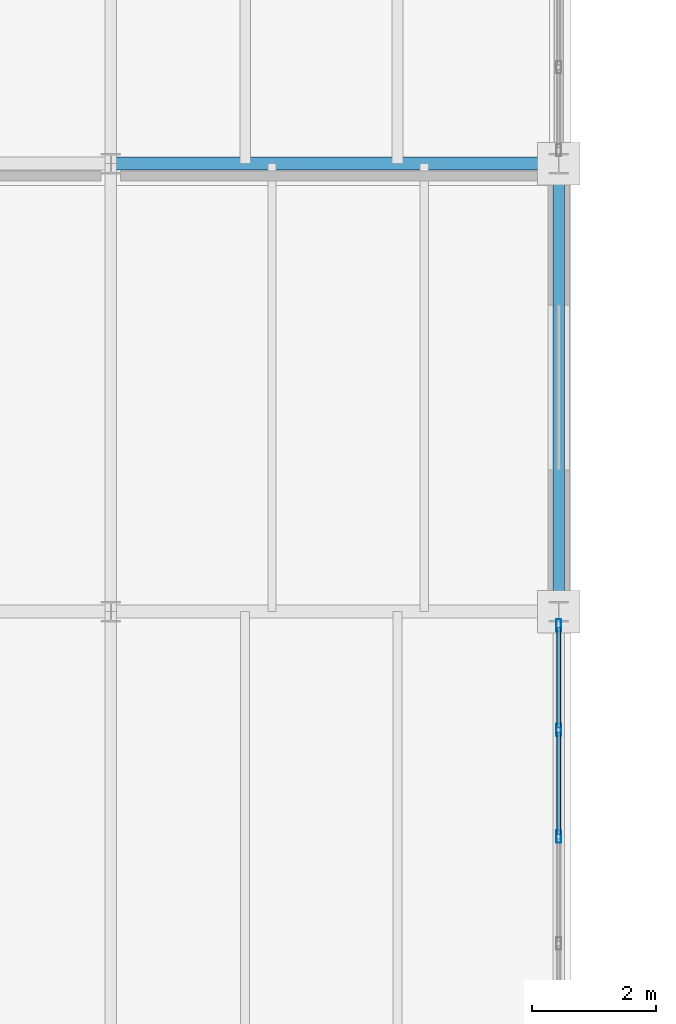
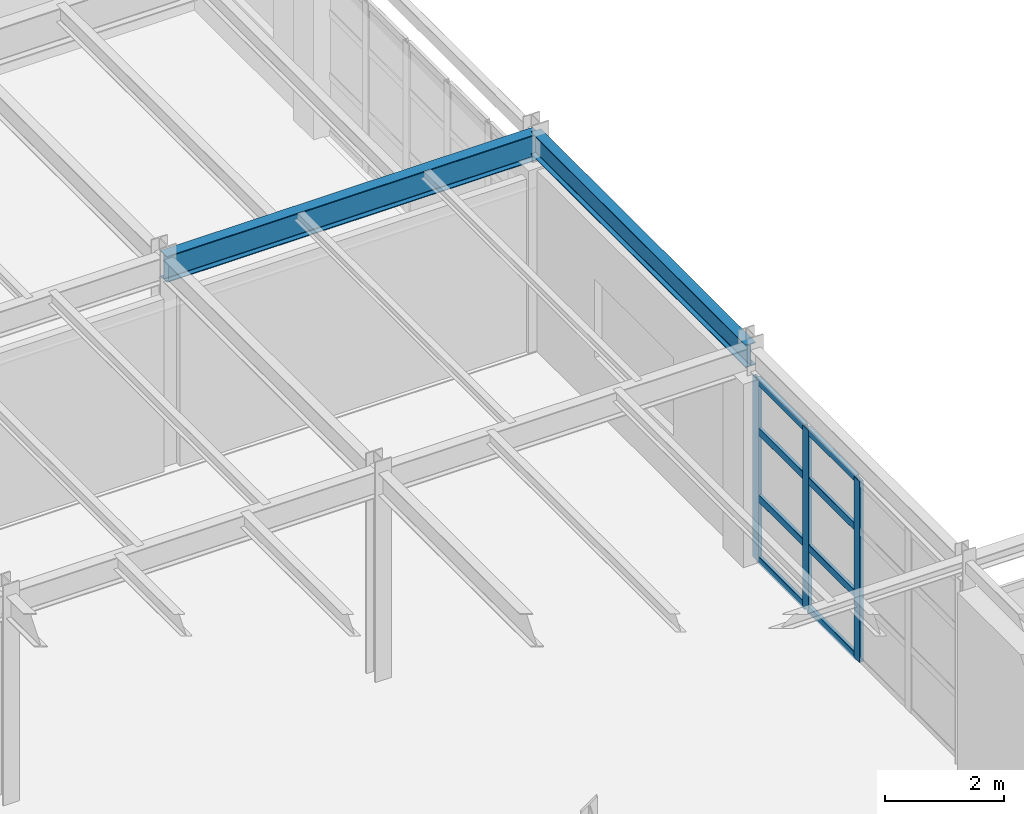
# One storey, part 36 of 137: 11 members, 2 beams, 1 element without a shape of its own.
"""IFC4 building model written with IfcOpenShell, lengths in metres."""

import ifcopenshell
import ifcopenshell.guid

model = None  # the IFC model being written
_history = None  # IfcOwnerHistory: only IFC2X3 demands one
_inside = {}  # id of a spatial element -> (the spatial element, [elements in it])
_under = {}  # id of a project, library or spatial element -> (it, [spatial elements below it])
_declared = {}  # id of a project -> (the project, [libraries it declares])
_typed = {}  # id of a type object -> (the type object, [elements of that type])
_made_of = {}  # id of a material, layer set ... -> (it, [elements and type objects made of it])


def new_model(schema):
    """Start an empty IFC model of exactly this schema.

    Asked for "IFC4X3", IfcOpenShell would pick the latest addendum, in which some entities
    have other attributes; the version numbers below select the first issue.
    IFC2X3 requires an IfcOwnerHistory on every rooted entity: one is made here for all.
    """
    global model, _history
    if schema == "IFC4X3":
        model = ifcopenshell.file(schema_version=(4, 3, 0, 0))
    else:
        model = ifcopenshell.file(schema=schema)
    _inside.clear()
    _under.clear()
    _declared.clear()
    _typed.clear()
    _made_of.clear()
    _history = None
    if model.schema == "IFC2X3":
        org = make("IfcOrganization", Name="unknown")
        user = make(
            "IfcPersonAndOrganization",
            ThePerson=make("IfcPerson", FamilyName="unknown"),
            TheOrganization=org,
        )
        app = make(
            "IfcApplication",
            ApplicationDeveloper=org,
            Version="unknown",
            ApplicationFullName="unknown",
            ApplicationIdentifier="unknown",
        )
        _history = make(
            "IfcOwnerHistory",
            OwningUser=user,
            OwningApplication=app,
            ChangeAction="ADDED",
            CreationDate=0,
        )
    return model


def make(cls, **values):
    """One entity of the class cls with the attributes given. An attribute that is None is left unset."""
    return model.create_entity(
        cls, **{name: value for name, value in values.items() if value is not None}
    )


def rooted(cls, **values):
    """An entity with a GlobalId (a new one), such as an element, a storey or a relation."""
    return make(cls, GlobalId=ifcopenshell.guid.new(), OwnerHistory=_history, **values)


def si_unit(unit_type, name, prefix=None):
    """IfcSIUnit, for example si_unit("LENGTHUNIT", "METRE", prefix="MILLI")."""
    return make("IfcSIUnit", UnitType=unit_type, Prefix=prefix, Name=name)


def assignment(units):
    """IfcUnitAssignment: the units of a project."""
    return None if units is None else make("IfcUnitAssignment", Units=units)


def point(xyz):
    """IfcCartesianPoint."""
    return None if xyz is None else make("IfcCartesianPoint", Coordinates=xyz)


def direction(xyz):
    """IfcDirection."""
    return None if xyz is None else make("IfcDirection", DirectionRatios=xyz)


def frame(location, z_axis=None, x_axis=None):
    """IfcAxis2Placement3D, a coordinate frame: its origin and axes. An axis left out is left unset."""
    return make(
        "IfcAxis2Placement3D",
        Location=point(location),
        Axis=direction(z_axis),
        RefDirection=direction(x_axis),
    )


def frame_2d(location, x_axis=None):
    """IfcAxis2Placement2D, a coordinate frame in the plane: its origin and x axis."""
    return make(
        "IfcAxis2Placement2D", Location=point(location), RefDirection=direction(x_axis)
    )


def origin():
    """The frame at (0, 0, 0) with its axes left unset."""
    return frame((0.0, 0.0, 0.0))


def origin_2d():
    """The frame at (0, 0) in the plane with its x axis left unset."""
    return frame_2d((0.0, 0.0))


def place(relative_to, where):
    """IfcLocalPlacement: puts the frame where relative to a parent placement (None: the world)."""
    return make(
        "IfcLocalPlacement", PlacementRelTo=relative_to, RelativePlacement=where
    )


def context(
    kind, dimensions, precision=None, world=None, true_north=None, identifier=None
):
    """IfcGeometricRepresentationContext, for example the 3D "Model" context."""
    return make(
        "IfcGeometricRepresentationContext",
        ContextIdentifier=identifier,
        ContextType=kind,
        CoordinateSpaceDimension=dimensions,
        Precision=precision,
        WorldCoordinateSystem=world,
        TrueNorth=true_north,
    )


def subcontext(parent, identifier, kind, view, scale=None):
    """IfcGeometricRepresentationSubContext, for example "Body" below "Model"."""
    return make(
        "IfcGeometricRepresentationSubContext",
        ContextIdentifier=identifier,
        ContextType=kind,
        ParentContext=parent,
        TargetScale=scale,
        TargetView=view,
    )


def project(units=None, contexts=None):
    """IfcProject with its units and contexts."""
    return rooted(
        "IfcProject",
        Name="project",
        RepresentationContexts=contexts,
        UnitsInContext=assignment(units),
    )


def spatial(cls, under=None, at=None, **own):
    """A site, building, storey or space (cls), placed at a placement, below another one or the project."""
    s = rooted(cls, ObjectPlacement=at, **own)
    if under is not None:
        _under.setdefault(under.id(), (under, []))[1].append(s)
    return s


def profile(cls, at=None, kind="AREA", **sizes):
    """A parametric profile (cls). Its sizes go by their IFC names, for example OverallWidth=200.0."""
    return make(cls, ProfileType=kind, Position=at, **sizes)


def hollow_rectangle(**sizes):
    """IfcRectangleHollowProfileDef."""
    return profile("IfcRectangleHollowProfileDef", **sizes)


def i_section(**sizes):
    """IfcIShapeProfileDef."""
    return profile("IfcIShapeProfileDef", **sizes)


def extrude(swept, where, along, depth):
    """IfcExtrudedAreaSolid: the profile swept, set in the frame where, extruded along a direction by depth."""
    return make(
        "IfcExtrudedAreaSolid",
        SweptArea=swept,
        Position=where,
        ExtrudedDirection=direction(along),
        Depth=depth,
    )


def shape(context_of_items, identifier, shape_type, items):
    """IfcShapeRepresentation: the items that make up one representation, for example the "Body"."""
    return make(
        "IfcShapeRepresentation",
        ContextOfItems=context_of_items,
        RepresentationIdentifier=identifier,
        RepresentationType=shape_type,
        Items=items,
    )


def material(Name=None, Category=None):
    """IfcMaterial."""
    return make("IfcMaterial", Name=Name, Category=Category)


def layer(
    of_material, thickness, ventilated=None, Name=None, Category=None, Priority=None
):
    """IfcMaterialLayer: one layer of a wall or slab, of a material (None: an air gap)."""
    return make(
        "IfcMaterialLayer",
        Material=of_material,
        LayerThickness=thickness,
        IsVentilated=ventilated,
        Name=Name,
        Category=Category,
        Priority=Priority,
    )


def layer_set(layers, Name=None):
    """IfcMaterialLayerSet."""
    return make("IfcMaterialLayerSet", MaterialLayers=layers, LayerSetName=Name)


def material_profile(
    of_material, cross_section, Name=None, Category=None, Priority=None
):
    """IfcMaterialProfile: a cross section and its material."""
    return make(
        "IfcMaterialProfile",
        Name=Name,
        Material=of_material,
        Profile=cross_section,
        Priority=Priority,
        Category=Category,
    )


def profile_set(profiles, Name=None, composite=None):
    """IfcMaterialProfileSet."""
    return make(
        "IfcMaterialProfileSet",
        Name=Name,
        MaterialProfiles=profiles,
        CompositeProfile=composite,
    )


def made_of(thing, what):
    """Note that an element or type object is made of a material, layer set ...; save() writes the relation."""
    if what is not None:
        _made_of.setdefault(what.id(), (what, []))[1].append(thing)
    return thing


def type_object(cls, material=None, **own):
    """A type object (cls), such as IfcWallType, which elements share."""
    return made_of(rooted(cls, **own), material)


def element(
    cls,
    number,
    at=None,
    inside=None,
    cuts=None,
    type_object=None,
    material=None,
    context=None,
    identifier="Body",
    shape_type=None,
    held_by="IfcProductDefinitionShape",
    body=None,
    shapes=None,
    **own,
):
    """One element of the class cls, such as IfcWall. Its Tag is "e" and its number.

    at: its placement. inside: the storey or other place that contains it. cuts: it is an
    opening in that element (IfcRelVoidsElement). A single representation is given by context,
    identifier, shape_type and body (its items); several are given by shapes. held_by: the class
    of the entity that holds the representations. save() writes the other relations.
    """
    e = rooted(cls, Tag="e%d" % number, ObjectPlacement=at, **own)
    if body is not None:
        shapes = [shape(context, identifier, shape_type, body)]
    if shapes is not None:
        e.Representation = make(held_by, Representations=shapes)
    if inside is not None:
        _inside.setdefault(inside.id(), (inside, []))[1].append(e)
    if cuts is not None:
        rooted(
            "IfcRelVoidsElement", RelatingBuildingElement=cuts, RelatedOpeningElement=e
        )
    if type_object is not None:
        _typed.setdefault(type_object.id(), (type_object, []))[1].append(e)
    return made_of(e, material)


def aggregate(whole, parts):
    """IfcRelAggregates: a whole, such as a stair, and the parts it consists of."""
    return rooted("IfcRelAggregates", RelatingObject=whole, RelatedObjects=parts)


def save(model, path):
    """Write the relations noted so far, then the file.

    IfcRelAggregates (storeys below a building ...), IfcRelContainedInSpatialStructure (elements
    in a storey), IfcRelDefinesByType, IfcRelAssociatesMaterial and IfcRelDeclares: one each for
    every whole, place, type object, material and project.
    """
    for whole, parts in _under.values():
        aggregate(whole, parts)
    for where, things in _inside.values():
        rooted(
            "IfcRelContainedInSpatialStructure",
            RelatedElements=things,
            RelatingStructure=where,
        )
    for kind, things in _typed.values():
        rooted("IfcRelDefinesByType", RelatedObjects=things, RelatingType=kind)
    for what, things in _made_of.values():
        rooted("IfcRelAssociatesMaterial", RelatedObjects=things, RelatingMaterial=what)
    for by, libraries in _declared.values():
        rooted("IfcRelDeclares", RelatingContext=by, RelatedDefinitions=libraries)
    model.write(path)


model = new_model("IFC4")

# Units and contexts
model_context = context("Model", 3, precision=1e-05, world=origin(), true_north=direction((0.0, 1.0)))
body_context = subcontext(model_context, "Body", "Model", "MODEL_VIEW")
ifc_project = project(units=[si_unit("LENGTHUNIT", "METRE"), si_unit("AREAUNIT", "SQUARE_METRE"), si_unit("VOLUMEUNIT", "CUBIC_METRE"), si_unit("PLANEANGLEUNIT", "RADIAN"), si_unit("MASSUNIT", "GRAM", prefix="KILO")], contexts=[model_context])

# Site, building, storey
site_placement = place(None, origin())
site = spatial("IfcSite", under=ifc_project, at=site_placement, CompositionType="ELEMENT")
building_placement = place(site_placement, origin())
building = spatial("IfcBuilding", under=site, at=building_placement, Name="Kemerveld Promenade Tramway Depot", CompositionType="ELEMENT")
storey_placement = place(building_placement, frame((0.0, 0.0, 5.39990234375)))
storey = spatial("IfcBuildingStorey", under=building, at=storey_placement, Name="L01", CompositionType="ELEMENT", Elevation=5.39990234375)

# Beams
ifc_material_1 = material(Name="Steel S355", Category="steel")
ifc_material_profile_1 = material_profile(ifc_material_1, i_section(OverallWidth=0.2099609375, OverallDepth=0.53662109375, WebThickness=0.0107421875, FlangeThickness=0.017333984375, FilletRadius=0.0126953125, at=origin_2d()), Name="533x210x101 UB")
ifc_profile_set_1 = profile_set([ifc_material_profile_1], Name="Steel S355")
beam_type_1 = type_object("IfcBeamType", Name="BM-G05", PredefinedType="BEAM", material=ifc_profile_set_1)
beam_1_placement = place(storey_placement, frame((50.39990234375, 43.199951171875, 3.99169921875), z_axis=(1.0, 0.0, 0.0), x_axis=(0.0, 1.0, 0.0)))
element("IfcBeam", 1, at=beam_1_placement, inside=storey, type_object=beam_type_1, Name="BMX-L01-08-09-G", PredefinedType="BEAM", context=body_context, shape_type="SweptSolid", body=[
    extrude(i_section(OverallWidth=0.2099609375, OverallDepth=0.53662109375, WebThickness=0.0107421875, FlangeThickness=0.017333984375, FilletRadius=0.0126953125, at=origin_2d()), origin(), (0.0, 0.0, 1.0), 7.2001953125),
])
ifc_material_profile_2 = material_profile(ifc_material_1, i_section(OverallWidth=0.19140625, OverallDepth=0.4599609375, WebThickness=0.010009765625, FlangeThickness=0.01611328125, FilletRadius=0.01025390625, at=origin_2d()), Name="457x191x82 UB")
ifc_profile_set_2 = profile_set([ifc_material_profile_2], Name="Steel S355")
beam_type_2 = type_object("IfcBeamType", Name="BM-G06", PredefinedType="BEAM", material=ifc_profile_set_2)
beam_2_placement = place(storey_placement, frame((57.60009765625, 36.0, 4.030029296875), z_axis=(0.0, 1.0, 0.0), x_axis=(-1.0, 0.0, 0.0)))
element("IfcBeam", 2, at=beam_2_placement, inside=storey, type_object=beam_type_2, Name="BMY-L01-09-F-G", PredefinedType="BEAM", context=body_context, shape_type="SweptSolid", body=[
    extrude(i_section(OverallWidth=0.19140625, OverallDepth=0.4599609375, WebThickness=0.010009765625, FlangeThickness=0.01611328125, FilletRadius=0.01025390625, at=origin_2d()), origin(), (0.0, 0.0, 1.0), 7.199951171875),
])

# Curtain wall, members
ifc_material_2 = material(Name="Bronze anodised aluminium and solar glass", Category="aluminium")
ifc_layer = layer(ifc_material_2, 0.199951171875)
ifc_layer_set = layer_set([ifc_layer], Name="CW-SYS-10")
curtain_wall_type = type_object("IfcCurtainWallType", Name="CW-SYS-10", PredefinedType="USERDEFINED", material=ifc_layer_set)
curtain_wall_placement = place(storey_placement, origin())
curtain_wall = element("IfcCurtainWall", 3, at=curtain_wall_placement, inside=storey, type_object=curtain_wall_type, Name="CW-L01-V5E-07", ObjectType="GLAZED_CURTAIN_WALL", PredefinedType="USERDEFINED")
ifc_material_3 = material(Name="Bronze anodised aluminium", Category="aluminium")
ifc_material_profile_3 = material_profile(ifc_material_3, hollow_rectangle(XDim=0.074951171875, YDim=0.199951171875, WallThickness=0.0048828125, InnerFilletRadius=0.001953125, OuterFilletRadius=0.0048828125, at=origin_2d()), Name="CW-MUL-200x75")
ifc_profile_set_3 = profile_set([ifc_material_profile_3], Name="Bronze anodised aluminium")
member_type_1 = type_object("IfcMemberType", Name="CW-MUL-B", PredefinedType="MULLION", material=ifc_profile_set_3)
member_1_placement = place(storey_placement, frame((57.60009765625, 35.779052734375, 0.0), z_axis=(0.0, 0.0, 1.0), x_axis=(1.0, 0.0, 0.0)))
member_1 = element("IfcMember", 4, at=member_1_placement, type_object=member_type_1, Name="CW10 mullion 1", PredefinedType="MULLION", context=body_context, shape_type="SweptSolid", body=[
    extrude(hollow_rectangle(XDim=0.074951171875, YDim=0.199951171875, WallThickness=0.0048828125, InnerFilletRadius=0.001953125, OuterFilletRadius=0.0048828125, at=origin_2d()), origin(), (0.0, 0.0, 1.0), 3.70361328125),
])
member_2_placement = place(storey_placement, frame((57.60009765625, 34.099853515625, 0.0), z_axis=(0.0, 0.0, 1.0), x_axis=(1.0, 0.0, 0.0)))
member_2 = element("IfcMember", 5, at=member_2_placement, type_object=member_type_1, Name="CW10 mullion 2", PredefinedType="MULLION", context=body_context, shape_type="SweptSolid", body=[
    extrude(hollow_rectangle(XDim=0.074951171875, YDim=0.199951171875, WallThickness=0.0048828125, InnerFilletRadius=0.001953125, OuterFilletRadius=0.0048828125, at=origin_2d()), origin(), (0.0, 0.0, 1.0), 3.70361328125),
])
member_3_placement = place(storey_placement, frame((57.60009765625, 32.38330078125, 0.0), z_axis=(0.0, 0.0, 1.0), x_axis=(1.0, 0.0, 0.0)))
member_3 = element("IfcMember", 6, at=member_3_placement, type_object=member_type_1, Name="CW10 mullion 3", PredefinedType="MULLION", context=body_context, shape_type="SweptSolid", body=[
    extrude(hollow_rectangle(XDim=0.074951171875, YDim=0.199951171875, WallThickness=0.0048828125, InnerFilletRadius=0.001953125, OuterFilletRadius=0.0048828125, at=origin_2d()), origin(), (0.0, 0.0, 1.0), 3.70361328125),
])
ifc_material_profile_4 = material_profile(ifc_material_3, hollow_rectangle(XDim=0.06494140625, YDim=0.14990234375, WallThickness=0.00439453125, InnerFilletRadius=0.001953125, OuterFilletRadius=0.00439453125, at=origin_2d()), Name="CW-TRN-150x65")
ifc_profile_set_4 = profile_set([ifc_material_profile_4], Name="Bronze anodised aluminium")
member_type_2 = type_object("IfcMemberType", Name="CW-TRN-B", PredefinedType="USERDEFINED", material=ifc_profile_set_4)
member_4_placement = place(storey_placement, frame((57.60009765625, 35.741455078125, 0.03271484375), z_axis=(0.0, -1.0, 0.0), x_axis=(1.0, 0.0, 0.0)))
member_4 = element("IfcMember", 7, at=member_4_placement, type_object=member_type_2, Name="CW10 transom 1.1", ObjectType="TRANSOM", PredefinedType="USERDEFINED", context=body_context, shape_type="SweptSolid", body=[
    extrude(hollow_rectangle(XDim=0.06494140625, YDim=0.14990234375, WallThickness=0.00439453125, InnerFilletRadius=0.001953125, OuterFilletRadius=0.00439453125, at=origin_2d()), origin(), (0.0, 0.0, 1.0), 1.60400390625),
])
member_5_placement = place(storey_placement, frame((57.60009765625, 35.741455078125, 1.296142578125), z_axis=(0.0, -1.0, 0.0), x_axis=(1.0, 0.0, 0.0)))
member_5 = element("IfcMember", 8, at=member_5_placement, type_object=member_type_2, Name="CW10 transom 1.2", ObjectType="TRANSOM", PredefinedType="USERDEFINED", context=body_context, shape_type="SweptSolid", body=[
    extrude(hollow_rectangle(XDim=0.06494140625, YDim=0.14990234375, WallThickness=0.00439453125, InnerFilletRadius=0.001953125, OuterFilletRadius=0.00439453125, at=origin_2d()), origin(), (0.0, 0.0, 1.0), 1.60400390625),
])
member_6_placement = place(storey_placement, frame((57.60009765625, 35.741455078125, 2.666015625), z_axis=(0.0, -1.0, 0.0), x_axis=(1.0, 0.0, 0.0)))
member_6 = element("IfcMember", 9, at=member_6_placement, type_object=member_type_2, Name="CW10 transom 1.3", ObjectType="TRANSOM", PredefinedType="USERDEFINED", context=body_context, shape_type="SweptSolid", body=[
    extrude(hollow_rectangle(XDim=0.06494140625, YDim=0.14990234375, WallThickness=0.00439453125, InnerFilletRadius=0.001953125, OuterFilletRadius=0.00439453125, at=origin_2d()), origin(), (0.0, 0.0, 1.0), 1.60400390625),
])
member_7_placement = place(storey_placement, frame((57.60009765625, 35.741455078125, 3.6708984375), z_axis=(0.0, -1.0, 0.0), x_axis=(1.0, 0.0, 0.0)))
member_7 = element("IfcMember", 10, at=member_7_placement, type_object=member_type_2, Name="CW10 transom 1.4", ObjectType="TRANSOM", PredefinedType="USERDEFINED", context=body_context, shape_type="SweptSolid", body=[
    extrude(hollow_rectangle(XDim=0.06494140625, YDim=0.14990234375, WallThickness=0.00439453125, InnerFilletRadius=0.001953125, OuterFilletRadius=0.00439453125, at=origin_2d()), origin(), (0.0, 0.0, 1.0), 1.60400390625),
])
member_8_placement = place(storey_placement, frame((57.60009765625, 34.0625, 0.03271484375), z_axis=(0.0, -1.0, 0.0), x_axis=(1.0, 0.0, 0.0)))
member_8 = element("IfcMember", 11, at=member_8_placement, type_object=member_type_2, Name="CW10 transom 2.1", ObjectType="TRANSOM", PredefinedType="USERDEFINED", context=body_context, shape_type="SweptSolid", body=[
    extrude(hollow_rectangle(XDim=0.06494140625, YDim=0.14990234375, WallThickness=0.00439453125, InnerFilletRadius=0.001953125, OuterFilletRadius=0.00439453125, at=origin_2d()), origin(), (0.0, 0.0, 1.0), 1.6416015625),
])
member_9_placement = place(storey_placement, frame((57.60009765625, 34.0625, 1.296142578125), z_axis=(0.0, -1.0, 0.0), x_axis=(1.0, 0.0, 0.0)))
member_9 = element("IfcMember", 12, at=member_9_placement, type_object=member_type_2, Name="CW10 transom 2.2", ObjectType="TRANSOM", PredefinedType="USERDEFINED", context=body_context, shape_type="SweptSolid", body=[
    extrude(hollow_rectangle(XDim=0.06494140625, YDim=0.14990234375, WallThickness=0.00439453125, InnerFilletRadius=0.001953125, OuterFilletRadius=0.00439453125, at=origin_2d()), origin(), (0.0, 0.0, 1.0), 1.6416015625),
])
member_10_placement = place(storey_placement, frame((57.60009765625, 34.0625, 2.666015625), z_axis=(0.0, -1.0, 0.0), x_axis=(1.0, 0.0, 0.0)))
member_10 = element("IfcMember", 13, at=member_10_placement, type_object=member_type_2, Name="CW10 transom 2.3", ObjectType="TRANSOM", PredefinedType="USERDEFINED", context=body_context, shape_type="SweptSolid", body=[
    extrude(hollow_rectangle(XDim=0.06494140625, YDim=0.14990234375, WallThickness=0.00439453125, InnerFilletRadius=0.001953125, OuterFilletRadius=0.00439453125, at=origin_2d()), origin(), (0.0, 0.0, 1.0), 1.6416015625),
])
member_11_placement = place(storey_placement, frame((57.60009765625, 34.0625, 3.6708984375), z_axis=(0.0, -1.0, 0.0), x_axis=(1.0, 0.0, 0.0)))
member_11 = element("IfcMember", 14, at=member_11_placement, type_object=member_type_2, Name="CW10 transom 2.4", ObjectType="TRANSOM", PredefinedType="USERDEFINED", context=body_context, shape_type="SweptSolid", body=[
    extrude(hollow_rectangle(XDim=0.06494140625, YDim=0.14990234375, WallThickness=0.00439453125, InnerFilletRadius=0.001953125, OuterFilletRadius=0.00439453125, at=origin_2d()), origin(), (0.0, 0.0, 1.0), 1.6416015625),
])
aggregate(curtain_wall, [member_1, member_2, member_3, member_4, member_5, member_6, member_7, member_8, member_9, member_10, member_11])

save(model, "model.ifc")
